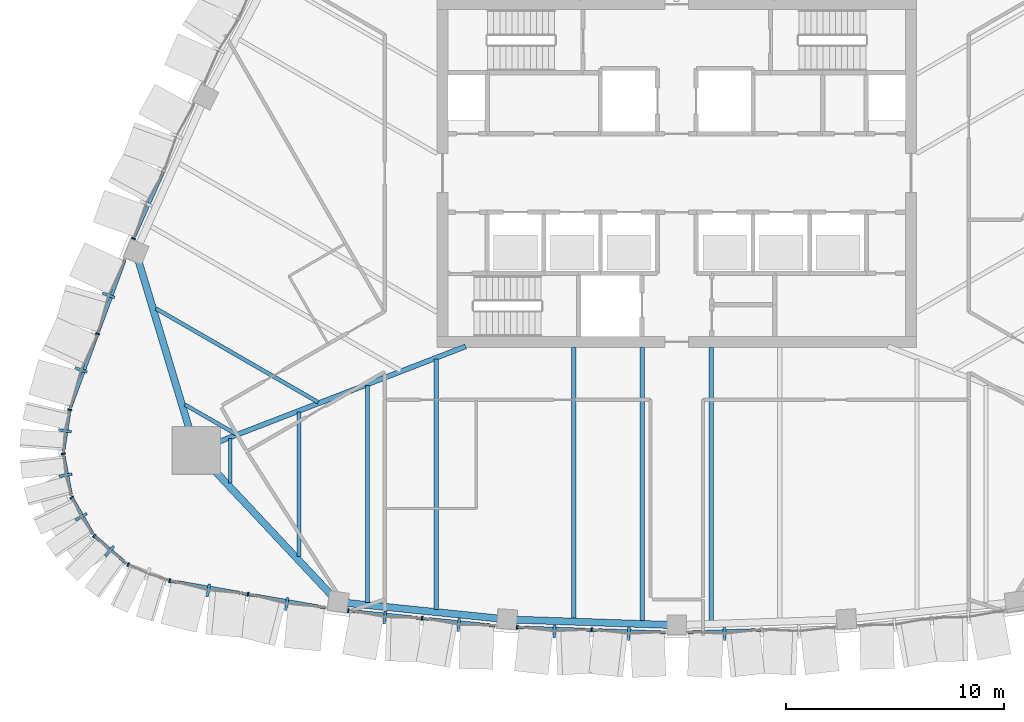
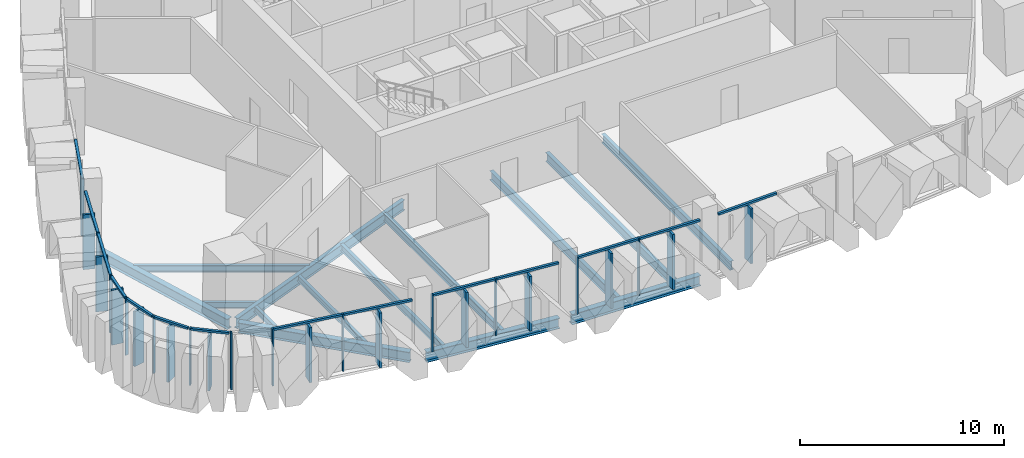
# One storey, part 2 of 20: 40 members, 14 beams, 11 elements without a shape of their own.
"""IFC4 building model written with IfcOpenShell, lengths in metres."""

from ifc_helpers import new_model, si_unit, direction, frame, origin, origin_2d, place, context, subcontext, project, spatial, rectangle, i_section, extrude, material, layer, layer_set, material_profile, profile_set, type_object, element, aggregate, save


model = new_model("IFC4")

# Units and contexts
model_context = context("Model", 3, precision=1e-05, world=origin(), true_north=direction((0.0, 1.0)))
body_context = subcontext(model_context, "Body", "Model", "MODEL_VIEW")
ifc_project = project(units=[si_unit("LENGTHUNIT", "METRE"), si_unit("AREAUNIT", "SQUARE_METRE"), si_unit("VOLUMEUNIT", "CUBIC_METRE"), si_unit("PLANEANGLEUNIT", "RADIAN"), si_unit("MASSUNIT", "GRAM", prefix="KILO")], contexts=[model_context])

# Site, building, storey
site_placement = place(None, origin())
site = spatial("IfcSite", under=ifc_project, at=site_placement, CompositionType="ELEMENT")
building_placement = place(site_placement, origin())
building = spatial("IfcBuilding", under=site, at=building_placement, Name="Sierra Prisma Convention Tower", CompositionType="ELEMENT")
storey_placement = place(building_placement, frame((0.0, 0.0, 239.0)))
storey = spatial("IfcBuildingStorey", under=building, at=storey_placement, Name="L53", CompositionType="ELEMENT", Elevation=239.0)

# Curtain wall, members
ifc_material_1 = material(Name="Aluminium and glass curtain wall", Category="aluminium")
ifc_layer = layer(ifc_material_1, 0.179931640625)
ifc_layer_set = layer_set([ifc_layer], Name="CW-2 Faceted crystal curtain wall")
curtain_wall_type = type_object("IfcCurtainWallType", Name="CW-2 Faceted crystal curtain wall", PredefinedType="NOTDEFINED", material=ifc_layer_set)
curtain_wall_1_placement = place(storey_placement, origin())
curtain_wall_1 = element("IfcCurtainWall", 1, at=curtain_wall_1_placement, inside=storey, type_object=curtain_wall_type, Name="CW-2 S1 L53", PredefinedType="NOTDEFINED")
ifc_material_2 = material(Name="Aluminium 6063-T6 bronze anodised", Category="aluminium")
ifc_material_profile_1 = material_profile(ifc_material_2, rectangle(XDim=0.1201171875, YDim=0.60009765625, at=origin_2d()), Name="ALU RIDGE BLADE 120x600")
ifc_profile_set_1 = profile_set([ifc_material_profile_1], Name="Aluminium 6063-T6 bronze anodised")
member_type_1 = type_object("IfcMemberType", Name="CW hip bronze", PredefinedType="MULLION", material=ifc_profile_set_1)
member_1_placement = place(storey_placement, frame((-21.498291015625, -19.162109375, 0.0), z_axis=(0.0, 0.0, 1.0), x_axis=(0.985483242185, -0.169772728587, 0.0)))
member_1 = element("IfcMember", 2, at=member_1_placement, type_object=member_type_1, Name="CW-2 ridge S1.1", PredefinedType="MULLION", context=body_context, shape_type="SweptSolid", body=[
    extrude(rectangle(XDim=0.1201171875, YDim=0.60009765625, at=origin_2d()), origin(), (0.0, 0.0, 1.0), 3.280029296875),
])
member_2_placement = place(storey_placement, frame((-17.900146484375, -19.781982421875, 0.0), z_axis=(0.0, 0.0, 1.0), x_axis=(0.985483242185, -0.169772728587, 0.0)))
member_2 = element("IfcMember", 3, at=member_2_placement, type_object=member_type_1, Name="CW-2 ridge S1.2", PredefinedType="MULLION", context=body_context, shape_type="SweptSolid", body=[
    extrude(rectangle(XDim=0.1201171875, YDim=0.60009765625, at=origin_2d()), origin(), (0.0, 0.0, 1.0), 3.280029296875),
])

curtain_wall_2_placement = place(storey_placement, origin())
curtain_wall_2 = element("IfcCurtainWall", 4, at=curtain_wall_2_placement, inside=storey, type_object=curtain_wall_type, Name="CW-2 S2 L53", PredefinedType="NOTDEFINED")
member_3_placement = place(storey_placement, frame((-13.39306640625, -20.393798828125, 0.0), z_axis=(0.0, 0.0, 1.0), x_axis=(0.994765846278, -0.102180776463, 0.0)))
member_3 = element("IfcMember", 5, at=member_3_placement, type_object=member_type_1, Name="CW-2 ridge S2.1", PredefinedType="MULLION", context=body_context, shape_type="SweptSolid", body=[
    extrude(rectangle(XDim=0.1201171875, YDim=0.60009765625, at=origin_2d()), origin(), (0.0, 0.0, 1.0), 3.280029296875),
])
member_4_placement = place(storey_placement, frame((-10.0068359375, -20.74169921875, 0.0), z_axis=(0.0, 0.0, 1.0), x_axis=(0.994765846278, -0.102180776463, 0.0)))
member_4 = element("IfcMember", 6, at=member_4_placement, type_object=member_type_1, Name="CW-2 ridge S2.2", PredefinedType="MULLION", context=body_context, shape_type="SweptSolid", body=[
    extrude(rectangle(XDim=0.1201171875, YDim=0.60009765625, at=origin_2d()), origin(), (0.0, 0.0, 1.0), 3.280029296875),
])

curtain_wall_3_placement = place(storey_placement, origin())
curtain_wall_3 = element("IfcCurtainWall", 7, at=curtain_wall_3_placement, inside=storey, type_object=curtain_wall_type, Name="CW-2 S3 L53", PredefinedType="NOTDEFINED")
member_5_placement = place(storey_placement, frame((-5.6162109375, -21.041748046875, 0.0), z_axis=(0.0, 0.0, 1.0), x_axis=(0.999417975782, -0.034113189286, 0.0)))
member_5 = element("IfcMember", 8, at=member_5_placement, type_object=member_type_1, Name="CW-2 ridge S3.1", PredefinedType="MULLION", context=body_context, shape_type="SweptSolid", body=[
    extrude(rectangle(XDim=0.1201171875, YDim=0.60009765625, at=origin_2d()), origin(), (0.0, 0.0, 1.0), 3.280029296875),
])
member_6_placement = place(storey_placement, frame((-2.1982421875, -21.158203125, 0.0), z_axis=(0.0, 0.0, 1.0), x_axis=(0.999417975782, -0.034113189286, 0.0)))
member_6 = element("IfcMember", 9, at=member_6_placement, type_object=member_type_1, Name="CW-2 ridge S3.2", PredefinedType="MULLION", context=body_context, shape_type="SweptSolid", body=[
    extrude(rectangle(XDim=0.1201171875, YDim=0.60009765625, at=origin_2d()), origin(), (0.0, 0.0, 1.0), 3.280029296875),
])

# Curtain wall, member
curtain_wall_4_placement = place(storey_placement, origin())
curtain_wall_4 = element("IfcCurtainWall", 10, at=curtain_wall_4_placement, inside=storey, type_object=curtain_wall_type, Name="CW-2 S4 L53", PredefinedType="NOTDEFINED")
member_7_placement = place(storey_placement, frame((2.1982421875, -21.158203125, 0.0), z_axis=(0.0, 0.0, 1.0), x_axis=(0.999417975782, 0.034113189286, 0.0)))
member_7 = element("IfcMember", 11, at=member_7_placement, type_object=member_type_1, Name="CW-2 ridge S4.1", PredefinedType="MULLION", context=body_context, shape_type="SweptSolid", body=[
    extrude(rectangle(XDim=0.1201171875, YDim=0.60009765625, at=origin_2d()), origin(), (0.0, 0.0, 1.0), 3.280029296875),
])

# Curtain wall, members
curtain_wall_5_placement = place(storey_placement, origin())
curtain_wall_5 = element("IfcCurtainWall", 12, at=curtain_wall_5_placement, inside=storey, type_object=curtain_wall_type, Name="CW-2 NW6 L53", PredefinedType="NOTDEFINED")
member_8_placement = place(storey_placement, frame((-26.08154296875, -5.61083984375, 0.0), z_axis=(0.0, 0.0, 1.0), x_axis=(-0.345714125267, -0.93833988703, 0.0)))
member_8 = element("IfcMember", 13, at=member_8_placement, type_object=member_type_1, Name="CW-2 ridge NW6.1", PredefinedType="MULLION", context=body_context, shape_type="SweptSolid", body=[
    extrude(rectangle(XDim=0.1201171875, YDim=0.60009765625, at=origin_2d()), origin(), (0.0, 0.0, 1.0), 3.280029296875),
])
member_9_placement = place(storey_placement, frame((-27.343994140625, -9.036865234375, 0.0), z_axis=(0.0, 0.0, 1.0), x_axis=(-0.345714125267, -0.93833988703, 0.0)))
member_9 = element("IfcMember", 14, at=member_9_placement, type_object=member_type_1, Name="CW-2 ridge NW6.2", PredefinedType="MULLION", context=body_context, shape_type="SweptSolid", body=[
    extrude(rectangle(XDim=0.1201171875, YDim=0.60009765625, at=origin_2d()), origin(), (0.0, 0.0, 1.0), 3.280029296875),
])

# Curtain wall, member
curtain_wall_6_placement = place(storey_placement, origin())
curtain_wall_6 = element("IfcCurtainWall", 15, at=curtain_wall_6_placement, inside=storey, type_object=curtain_wall_type, Name="CW-2 SW1 L53", PredefinedType="NOTDEFINED")
member_10_placement = place(storey_placement, frame((-28.08203125, -11.83056640625, 0.0), z_axis=(0.0, 0.0, 1.0), x_axis=(-0.149817989363, -0.988713593546, 0.0)))
member_10 = element("IfcMember", 16, at=member_10_placement, type_object=member_type_1, Name="CW-2 ridge SW1.1", PredefinedType="MULLION", context=body_context, shape_type="SweptSolid", body=[
    extrude(rectangle(XDim=0.1201171875, YDim=0.60009765625, at=origin_2d()), origin(), (0.0, 0.0, 1.0), 3.280029296875),
])

curtain_wall_7_placement = place(storey_placement, origin())
curtain_wall_7 = element("IfcCurtainWall", 17, at=curtain_wall_7_placement, inside=storey, type_object=curtain_wall_type, Name="CW-2 SW2 L53", PredefinedType="NOTDEFINED")
member_11_placement = place(storey_placement, frame((-28.045166015625, -13.869873046875, 0.0), z_axis=(0.0, 0.0, 1.0), x_axis=(0.185526165603, -0.98263932441, 0.0)))
member_11 = element("IfcMember", 18, at=member_11_placement, type_object=member_type_1, Name="CW-2 ridge SW2.1", PredefinedType="MULLION", context=body_context, shape_type="SweptSolid", body=[
    extrude(rectangle(XDim=0.1201171875, YDim=0.60009765625, at=origin_2d()), origin(), (0.0, 0.0, 1.0), 3.280029296875),
])

curtain_wall_8_placement = place(storey_placement, origin())
curtain_wall_8 = element("IfcCurtainWall", 19, at=curtain_wall_8_placement, inside=storey, type_object=curtain_wall_type, Name="CW-2 SW3 L53", PredefinedType="NOTDEFINED")
member_12_placement = place(storey_placement, frame((-27.3359375, -15.782470703125, 0.0), z_axis=(0.0, 0.0, 1.0), x_axis=(0.5, -0.866025403784, 0.0)))
member_12 = element("IfcMember", 20, at=member_12_placement, type_object=member_type_1, Name="CW-2 ridge SW3.1", PredefinedType="MULLION", context=body_context, shape_type="SweptSolid", body=[
    extrude(rectangle(XDim=0.1201171875, YDim=0.60009765625, at=origin_2d()), origin(), (0.0, 0.0, 1.0), 3.280029296875),
])

curtain_wall_9_placement = place(storey_placement, origin())
curtain_wall_9 = element("IfcCurtainWall", 21, at=curtain_wall_9_placement, inside=storey, type_object=curtain_wall_type, Name="CW-2 SW4 L53", PredefinedType="NOTDEFINED")
member_13_placement = place(storey_placement, frame((-26.0341796875, -17.352783203125, 0.0), z_axis=(0.0, 0.0, 1.0), x_axis=(0.758227534895, -0.651990034684, 0.0)))
member_13 = element("IfcMember", 22, at=member_13_placement, type_object=member_type_1, Name="CW-2 ridge SW4.1", PredefinedType="MULLION", context=body_context, shape_type="SweptSolid", body=[
    extrude(rectangle(XDim=0.1201171875, YDim=0.60009765625, at=origin_2d()), origin(), (0.0, 0.0, 1.0), 3.280029296875),
])

# Member
ifc_material_3 = material(Name="Aluminium 6063-T6 bronze anodised", Category="aluminium")
ifc_material_profile_2 = material_profile(ifc_material_3, rectangle(XDim=0.179931640625, YDim=0.070068359375, at=origin_2d()), Name="ALU MULLION 70x180")
ifc_profile_set_2 = profile_set([ifc_material_profile_2], Name="Aluminium 6063-T6 bronze anodised")
member_type_2 = type_object("IfcMemberType", Name="CW mullion bronze", PredefinedType="MULLION", material=ifc_profile_set_2)
member_14_placement = place(storey_placement, frame((-23.2734375, -18.713134765625, 0.0), z_axis=(0.0, 0.0, 1.0), x_axis=(0.169772728587, 0.985483242185, 0.0)))
member_14 = element("IfcMember", 23, at=member_14_placement, type_object=member_type_2, Name="CW-1 mullion S1.1", PredefinedType="MULLION", context=body_context, shape_type="SweptSolid", body=[
    extrude(rectangle(XDim=0.179931640625, YDim=0.070068359375, at=origin_2d()), origin(), (0.0, 0.0, 1.0), 3.39990234375),
])

member_15_placement = place(storey_placement, frame((-19.67529296875, -19.3330078125, 0.0), z_axis=(0.0, 0.0, 1.0), x_axis=(0.169772728587, 0.985483242185, 0.0)))
member_15 = element("IfcMember", 24, at=member_15_placement, type_object=member_type_2, Name="CW-1 mullion S1.2", PredefinedType="MULLION", context=body_context, shape_type="SweptSolid", body=[
    extrude(rectangle(XDim=0.179931640625, YDim=0.070068359375, at=origin_2d()), origin(), (0.0, 0.0, 1.0), 3.39990234375),
])

member_16_placement = place(storey_placement, frame((-15.07275390625, -20.08935546875, 0.0), z_axis=(0.0, 0.0, 1.0), x_axis=(0.102180776463, 0.994765846278, 0.0)))
member_16 = element("IfcMember", 25, at=member_16_placement, type_object=member_type_2, Name="CW-1 mullion S2.1", PredefinedType="MULLION", context=body_context, shape_type="SweptSolid", body=[
    extrude(rectangle(XDim=0.179931640625, YDim=0.070068359375, at=origin_2d()), origin(), (0.0, 0.0, 1.0), 3.39990234375),
])

member_17_placement = place(storey_placement, frame((-11.6865234375, -20.437255859375, 0.0), z_axis=(0.0, 0.0, 1.0), x_axis=(0.102180776463, 0.994765846278, 0.0)))
member_17 = element("IfcMember", 26, at=member_17_placement, type_object=member_type_2, Name="CW-1 mullion S2.2", PredefinedType="MULLION", context=body_context, shape_type="SweptSolid", body=[
    extrude(rectangle(XDim=0.179931640625, YDim=0.070068359375, at=origin_2d()), origin(), (0.0, 0.0, 1.0), 3.39990234375),
])

member_18_placement = place(storey_placement, frame((-7.32080078125, -20.8515625, 0.0), z_axis=(0.0, 0.0, 1.0), x_axis=(0.034113189286, 0.999417975782, 0.0)))
member_18 = element("IfcMember", 27, at=member_18_placement, type_object=member_type_2, Name="CW-1 mullion S3.1", PredefinedType="MULLION", context=body_context, shape_type="SweptSolid", body=[
    extrude(rectangle(XDim=0.179931640625, YDim=0.070068359375, at=origin_2d()), origin(), (0.0, 0.0, 1.0), 3.39990234375),
])

member_19_placement = place(storey_placement, frame((-3.90283203125, -20.96826171875, 0.0), z_axis=(0.0, 0.0, 1.0), x_axis=(0.034113189286, 0.999417975782, 0.0)))
member_19 = element("IfcMember", 28, at=member_19_placement, type_object=member_type_2, Name="CW-1 mullion S3.2", PredefinedType="MULLION", context=body_context, shape_type="SweptSolid", body=[
    extrude(rectangle(XDim=0.179931640625, YDim=0.070068359375, at=origin_2d()), origin(), (0.0, 0.0, 1.0), 3.39990234375),
])

# Curtain wall, member
curtain_wall_10_placement = place(storey_placement, origin())
curtain_wall_10 = element("IfcCurtainWall", 29, at=curtain_wall_10_placement, inside=storey, type_object=curtain_wall_type, Name="CW-2 NW5 L53", PredefinedType="NOTDEFINED")
member_20_placement = place(storey_placement, frame((-24.934326171875, -3.0087890625, 0.0), z_axis=(0.0, 0.0, 1.0), x_axis=(0.912582881925, -0.408891774944, 0.0)))
member_20 = element("IfcMember", 30, at=member_20_placement, type_object=member_type_2, Name="CW-1 mullion NW5.3", PredefinedType="MULLION", context=body_context, shape_type="SweptSolid", body=[
    extrude(rectangle(XDim=0.179931640625, YDim=0.070068359375, at=origin_2d()), origin(), (0.0, 0.0, 1.0), 3.39990234375),
])

# Member
member_21_placement = place(storey_placement, frame((-26.58056640625, -7.37255859375, 0.0), z_axis=(0.0, 0.0, 1.0), x_axis=(0.93833988703, -0.345714125267, 0.0)))
member_21 = element("IfcMember", 31, at=member_21_placement, type_object=member_type_2, Name="CW-1 mullion NW6.2", PredefinedType="MULLION", context=body_context, shape_type="SweptSolid", body=[
    extrude(rectangle(XDim=0.179931640625, YDim=0.070068359375, at=origin_2d()), origin(), (0.0, 0.0, 1.0), 3.39990234375),
])

member_22_placement = place(storey_placement, frame((-27.860107421875, -10.8662109375, 0.0), z_axis=(0.0, 0.0, 1.0), x_axis=(0.988713593546, -0.149817989363, 0.0)))
member_22 = element("IfcMember", 32, at=member_22_placement, type_object=member_type_2, Name="CW-1 mullion SW1.1", PredefinedType="MULLION", context=body_context, shape_type="SweptSolid", body=[
    extrude(rectangle(XDim=0.179931640625, YDim=0.070068359375, at=origin_2d()), origin(), (0.0, 0.0, 1.0), 3.39990234375),
])

member_23_placement = place(storey_placement, frame((-28.154541015625, -12.886474609375, 0.0), z_axis=(0.0, 0.0, 1.0), x_axis=(0.98263932441, 0.185526165603, 0.0)))
member_23 = element("IfcMember", 33, at=member_23_placement, type_object=member_type_2, Name="CW-1 mullion SW2.1", PredefinedType="MULLION", context=body_context, shape_type="SweptSolid", body=[
    extrude(rectangle(XDim=0.179931640625, YDim=0.070068359375, at=origin_2d()), origin(), (0.0, 0.0, 1.0), 3.39990234375),
])

member_24_placement = place(storey_placement, frame((-27.764404296875, -14.890380859375, 0.0), z_axis=(0.0, 0.0, 1.0), x_axis=(0.866025403784, 0.5, 0.0)))
member_24 = element("IfcMember", 34, at=member_24_placement, type_object=member_type_2, Name="CW-1 mullion SW3.1", PredefinedType="MULLION", context=body_context, shape_type="SweptSolid", body=[
    extrude(rectangle(XDim=0.179931640625, YDim=0.070068359375, at=origin_2d()), origin(), (0.0, 0.0, 1.0), 3.39990234375),
])

member_25_placement = place(storey_placement, frame((-26.733642578125, -16.652587890625, 0.0), z_axis=(0.0, 0.0, 1.0), x_axis=(0.651990034684, 0.758227534895, 0.0)))
member_25 = element("IfcMember", 35, at=member_25_placement, type_object=member_type_2, Name="CW-1 mullion SW4.1", PredefinedType="MULLION", context=body_context, shape_type="SweptSolid", body=[
    extrude(rectangle(XDim=0.179931640625, YDim=0.070068359375, at=origin_2d()), origin(), (0.0, 0.0, 1.0), 3.39990234375),
])

# Curtain wall, member
curtain_wall_11_placement = place(storey_placement, origin())
curtain_wall_11 = element("IfcCurtainWall", 36, at=curtain_wall_11_placement, inside=storey, type_object=curtain_wall_type, Name="CW-2 SW5 L53", PredefinedType="NOTDEFINED")
member_26_placement = place(storey_placement, frame((-25.177978515625, -17.974853515625, 0.0), z_axis=(0.0, 0.0, 1.0), x_axis=(0.364610612041, 0.93116008376, 0.0)))
member_26 = element("IfcMember", 37, at=member_26_placement, type_object=member_type_2, Name="CW-1 mullion SW5.1", PredefinedType="MULLION", context=body_context, shape_type="SweptSolid", body=[
    extrude(rectangle(XDim=0.179931640625, YDim=0.070068359375, at=origin_2d()), origin(), (0.0, 0.0, 1.0), 3.39990234375),
])
aggregate(curtain_wall_11, [member_26])

# Member
ifc_material_4 = material(Name="Aluminium 6063-T6 bronze anodised", Category="aluminium")
ifc_material_profile_3 = material_profile(ifc_material_4, rectangle(XDim=0.139892578125, YDim=0.1201171875, at=origin_2d()), Name="ALU TRANSOM 120x140")
ifc_profile_set_3 = profile_set([ifc_material_profile_3], Name="Aluminium 6063-T6 bronze anodised")
member_type_3 = type_object("IfcMemberType", Name="CW transom bronze", PredefinedType="USERDEFINED", material=ifc_profile_set_3)
member_27_placement = place(storey_placement, frame((-23.23876953125, -18.71923828125, 3.340087890625), z_axis=(0.985485690294, -0.169758517387, 0.0), x_axis=(0.169758517387, 0.985485690294, 0.0)))
member_27 = element("IfcMember", 38, at=member_27_placement, type_object=member_type_3, Name="CW-1 transom S1.1", ObjectType="TRANSOM", PredefinedType="USERDEFINED", context=body_context, shape_type="SweptSolid", body=[
    extrude(rectangle(XDim=0.139892578125, YDim=0.1201171875, at=origin_2d()), origin(), (0.0, 0.0, 1.0), 3.5810546875),
])

member_28_placement = place(storey_placement, frame((-19.640625, -19.339111328125, 3.340087890625), z_axis=(0.985485690294, -0.169758517387, 0.0), x_axis=(0.169758517387, 0.985485690294, 0.0)))
member_28 = element("IfcMember", 39, at=member_28_placement, type_object=member_type_3, Name="CW-1 transom S1.2", ObjectType="TRANSOM", PredefinedType="USERDEFINED", context=body_context, shape_type="SweptSolid", body=[
    extrude(rectangle(XDim=0.139892578125, YDim=0.1201171875, at=origin_2d()), origin(), (0.0, 0.0, 1.0), 3.5810546875),
])

aggregate(curtain_wall_1, [member_14, member_15, member_27, member_1, member_28, member_2])

member_29_placement = place(storey_placement, frame((-15.037841796875, -20.093017578125, 3.340087890625), z_axis=(0.994769044395, -0.102149636874, 0.0), x_axis=(0.102149636874, 0.994769044395, 0.0)))
member_29 = element("IfcMember", 40, at=member_29_placement, type_object=member_type_3, Name="CW-1 transom S2.1", ObjectType="TRANSOM", PredefinedType="USERDEFINED", context=body_context, shape_type="SweptSolid", body=[
    extrude(rectangle(XDim=0.139892578125, YDim=0.1201171875, at=origin_2d()), origin(), (0.0, 0.0, 1.0), 3.333984375),
])

member_30_placement = place(storey_placement, frame((-11.651611328125, -20.440673828125, 3.340087890625), z_axis=(0.994761600976, -0.102222097531, 0.0), x_axis=(0.102222097531, 0.994761600976, 0.0)))
member_30 = element("IfcMember", 41, at=member_30_placement, type_object=member_type_3, Name="CW-1 transom S2.2", ObjectType="TRANSOM", PredefinedType="USERDEFINED", context=body_context, shape_type="SweptSolid", body=[
    extrude(rectangle(XDim=0.139892578125, YDim=0.1201171875, at=origin_2d()), origin(), (0.0, 0.0, 1.0), 3.334228515625),
])

aggregate(curtain_wall_2, [member_16, member_17, member_29, member_3, member_30, member_4])

member_31_placement = place(storey_placement, frame((-7.28564453125, -20.852783203125, 3.340087890625), z_axis=(0.999418141233, -0.034108341727, 0.0), x_axis=(0.034108341727, 0.999418141233, 0.0)))
member_31 = element("IfcMember", 42, at=member_31_placement, type_object=member_type_3, Name="CW-1 transom S3.1", ObjectType="TRANSOM", PredefinedType="USERDEFINED", context=body_context, shape_type="SweptSolid", body=[
    extrude(rectangle(XDim=0.139892578125, YDim=0.1201171875, at=origin_2d()), origin(), (0.0, 0.0, 1.0), 3.349853515625),
])

member_32_placement = place(storey_placement, frame((-3.86767578125, -20.969482421875, 3.340087890625), z_axis=(0.999418141233, -0.034108341727, 0.0), x_axis=(0.034108341727, 0.999418141233, 0.0)))
member_32 = element("IfcMember", 43, at=member_32_placement, type_object=member_type_3, Name="CW-1 transom S3.2", ObjectType="TRANSOM", PredefinedType="USERDEFINED", context=body_context, shape_type="SweptSolid", body=[
    extrude(rectangle(XDim=0.139892578125, YDim=0.1201171875, at=origin_2d()), origin(), (0.0, 0.0, 1.0), 3.349853515625),
])

aggregate(curtain_wall_3, [member_18, member_19, member_31, member_5, member_32, member_6])

member_33_placement = place(storey_placement, frame((0.519775390625, -21.083740234375, 3.340087890625), z_axis=(0.999418141233, 0.034108341727, 0.0), x_axis=(-0.034108341727, 0.999418141233, 0.0)))
member_33 = element("IfcMember", 44, at=member_33_placement, type_object=member_type_3, Name="CW-1 transom S4.1", ObjectType="TRANSOM", PredefinedType="USERDEFINED", context=body_context, shape_type="SweptSolid", body=[
    extrude(rectangle(XDim=0.139892578125, YDim=0.1201171875, at=origin_2d()), origin(), (0.0, 0.0, 1.0), 3.349853515625),
])

aggregate(curtain_wall_4, [member_33, member_7])

member_34_placement = place(storey_placement, frame((-23.556640625, 0.06591796875, 3.340087890625), z_axis=(-0.408881392104, -0.912587533988, 0.0), x_axis=(0.912587533988, -0.408881392104, 0.0)))
member_34 = element("IfcMember", 45, at=member_34_placement, type_object=member_type_3, Name="CW-1 transom NW5.2", ObjectType="TRANSOM", PredefinedType="USERDEFINED", context=body_context, shape_type="SweptSolid", body=[
    extrude(rectangle(XDim=0.139892578125, YDim=0.1201171875, at=origin_2d()), origin(), (0.0, 0.0, 1.0), 3.334228515625),
])

aggregate(curtain_wall_10, [member_20, member_34])

member_35_placement = place(storey_placement, frame((-25.330322265625, -3.9794921875, 3.340087890625), z_axis=(-0.345708518092, -0.938341952872, 0.0), x_axis=(0.938341952872, -0.345708518092, 0.0)))
member_35 = element("IfcMember", 46, at=member_35_placement, type_object=member_type_3, Name="CW-1 transom NW6.1", ObjectType="TRANSOM", PredefinedType="USERDEFINED", context=body_context, shape_type="SweptSolid", body=[
    extrude(rectangle(XDim=0.139892578125, YDim=0.1201171875, at=origin_2d()), origin(), (0.0, 0.0, 1.0), 3.5810546875),
])

member_36_placement = place(storey_placement, frame((-26.592529296875, -7.405517578125, 3.340087890625), z_axis=(-0.345768541877, -0.938319836435, 0.0), x_axis=(0.938319836435, -0.345768541877, 0.0)))
member_36 = element("IfcMember", 47, at=member_36_placement, type_object=member_type_3, Name="CW-1 transom NW6.2", ObjectType="TRANSOM", PredefinedType="USERDEFINED", context=body_context, shape_type="SweptSolid", body=[
    extrude(rectangle(XDim=0.139892578125, YDim=0.1201171875, at=origin_2d()), origin(), (0.0, 0.0, 1.0), 3.581298828125),
])

aggregate(curtain_wall_5, [member_21, member_35, member_8, member_36, member_9])

member_37_placement = place(storey_placement, frame((-27.865478515625, -10.900634765625, 3.340087890625), z_axis=(-0.149801580138, -0.988716079867, 0.0), x_axis=(0.988716079867, -0.149801580138, 0.0)))
member_37 = element("IfcMember", 48, at=member_37_placement, type_object=member_type_3, Name="CW-1 transom SW1.1", ObjectType="TRANSOM", PredefinedType="USERDEFINED", context=body_context, shape_type="SweptSolid", body=[
    extrude(rectangle(XDim=0.139892578125, YDim=0.1201171875, at=origin_2d()), origin(), (0.0, 0.0, 1.0), 1.903564453125),
])

aggregate(curtain_wall_6, [member_22, member_37, member_10])

member_38_placement = place(storey_placement, frame((-28.14794921875, -12.9208984375, 3.340087890625), z_axis=(0.185473292757, -0.982649305538, 0.0), x_axis=(0.982649305538, 0.185473292757, 0.0)))
member_38 = element("IfcMember", 49, at=member_38_placement, type_object=member_type_3, Name="CW-1 transom SW2.1", ObjectType="TRANSOM", PredefinedType="USERDEFINED", context=body_context, shape_type="SweptSolid", body=[
    extrude(rectangle(XDim=0.139892578125, YDim=0.1201171875, at=origin_2d()), origin(), (0.0, 0.0, 1.0), 1.9033203125),
])

aggregate(curtain_wall_7, [member_23, member_38, member_11])

member_39_placement = place(storey_placement, frame((-27.746826171875, -14.920654296875, 3.340087890625), z_axis=(0.49997412077, -0.866040344649, 0.0), x_axis=(0.866040344649, 0.49997412077, 0.0)))
member_39 = element("IfcMember", 50, at=member_39_placement, type_object=member_type_3, Name="CW-1 transom SW3.1", ObjectType="TRANSOM", PredefinedType="USERDEFINED", context=body_context, shape_type="SweptSolid", body=[
    extrude(rectangle(XDim=0.139892578125, YDim=0.1201171875, at=origin_2d()), origin(), (0.0, 0.0, 1.0), 1.9033203125),
])

aggregate(curtain_wall_8, [member_24, member_39, member_12])

member_40_placement = place(storey_placement, frame((-26.70703125, -16.675537109375, 3.340087890625), z_axis=(0.758268887432, -0.651941940937, 0.0), x_axis=(0.651941940937, 0.758268887432, 0.0)))
member_40 = element("IfcMember", 51, at=member_40_placement, type_object=member_type_3, Name="CW-1 transom SW4.1", ObjectType="TRANSOM", PredefinedType="USERDEFINED", context=body_context, shape_type="SweptSolid", body=[
    extrude(rectangle(XDim=0.139892578125, YDim=0.1201171875, at=origin_2d()), origin(), (0.0, 0.0, 1.0), 1.903564453125),
])

aggregate(curtain_wall_9, [member_25, member_40, member_13])

# Beams
ifc_material_5 = material(Name="Steel ASTM A992 Gr 50", Category="steel")
ifc_material_profile_4 = material_profile(ifc_material_5, i_section(OverallWidth=0.172119140625, OverallDepth=0.35791015625, WebThickness=0.0078125, FlangeThickness=0.01318359375, at=origin_2d()), Name="W360x57")
ifc_profile_set_4 = profile_set([ifc_material_profile_4], Name="Steel ASTM A992 Gr 50")
beam_type_1 = type_object("IfcBeamType", Name="Floor joist W360x57", PredefinedType="JOIST", material=ifc_profile_set_4)
beam_1_placement = place(storey_placement, frame((-20.492919921875, -14.234375, -0.3291015625), z_axis=(0.0, 1.0, 0.0), x_axis=(-1.0, 0.0, 0.0)))
element("IfcBeam", 52, at=beam_1_placement, inside=storey, type_object=beam_type_1, Name="Floor joist L53 S01", PredefinedType="JOIST", context=body_context, shape_type="SweptSolid", body=[
    extrude(i_section(OverallWidth=0.172119140625, OverallDepth=0.35791015625, WebThickness=0.0078125, FlangeThickness=0.01318359375, at=origin_2d()), origin(), (0.0, 0.0, 1.0), 2.052734375),
])
beam_2_placement = place(storey_placement, frame((-17.340087890625, -17.5947265625, -0.3291015625), z_axis=(0.0, 1.0, 0.0), x_axis=(-1.0, 0.0, 0.0)))
element("IfcBeam", 53, at=beam_2_placement, inside=storey, type_object=beam_type_1, Name="Floor joist L53 S02", PredefinedType="JOIST", context=body_context, shape_type="SweptSolid", body=[
    extrude(i_section(OverallWidth=0.172119140625, OverallDepth=0.35791015625, WebThickness=0.0078125, FlangeThickness=0.01318359375, at=origin_2d()), origin(), (0.0, 0.0, 1.0), 6.63134765625),
])
beam_3_placement = place(storey_placement, frame((-22.57373046875, -10.630126953125, -0.3291015625), z_axis=(0.866045775131, -0.499964714133, 0.0), x_axis=(0.499964714133, 0.866045775131, 0.0)))
element("IfcBeam", 54, at=beam_3_placement, inside=storey, type_object=beam_type_1, Name="Floor joist L53 NW14", PredefinedType="JOIST", context=body_context, shape_type="SweptSolid", body=[
    extrude(i_section(OverallWidth=0.172119140625, OverallDepth=0.35791015625, WebThickness=0.0078125, FlangeThickness=0.01318359375, at=origin_2d()), origin(), (0.0, 0.0, 1.0), 2.704345703125),
])
ifc_material_6 = material(Name="Steel ASTM A992 Gr 50", Category="steel")
ifc_material_profile_5 = material_profile(ifc_material_6, i_section(OverallWidth=0.177978515625, OverallDepth=0.406982421875, WebThickness=0.0078125, FlangeThickness=0.0126953125, at=origin_2d()), Name="W410x60")
ifc_profile_set_5 = profile_set([ifc_material_profile_5], Name="Steel ASTM A992 Gr 50")
beam_type_2 = type_object("IfcBeamType", Name="Floor joist W410x60", PredefinedType="JOIST", material=ifc_profile_set_5)
beam_4_placement = place(storey_placement, frame((-14.187255859375, -19.71533203125, -0.353515625), z_axis=(0.0, 1.0, 0.0), x_axis=(-1.0, 0.0, 0.0)))
element("IfcBeam", 55, at=beam_4_placement, inside=storey, type_object=beam_type_2, Name="Floor joist L53 S03", PredefinedType="JOIST", context=body_context, shape_type="SweptSolid", body=[
    extrude(i_section(OverallWidth=0.177978515625, OverallDepth=0.406982421875, WebThickness=0.0078125, FlangeThickness=0.0126953125, at=origin_2d()), origin(), (0.0, 0.0, 1.0), 9.970458984375),
])
beam_5_placement = place(storey_placement, frame((-23.907470703125, -6.2197265625, -0.353515625), z_axis=(0.866034883057, -0.499983581059, 0.0), x_axis=(0.499983581059, 0.866034883057, 0.0)))
element("IfcBeam", 56, at=beam_5_placement, inside=storey, type_object=beam_type_2, Name="Floor joist L53 NW13", PredefinedType="JOIST", context=body_context, shape_type="SweptSolid", body=[
    extrude(i_section(OverallWidth=0.177978515625, OverallDepth=0.406982421875, WebThickness=0.0078125, FlangeThickness=0.0126953125, at=origin_2d()), origin(), (0.0, 0.0, 1.0), 8.605712890625),
])
ifc_material_7 = material(Name="Steel ASTM A992 Gr 50", Category="steel")
ifc_material_profile_6 = material_profile(ifc_material_7, i_section(OverallWidth=0.18994140625, OverallDepth=0.45703125, WebThickness=0.009033203125, FlangeThickness=0.014404296875, at=origin_2d()), Name="W460x74")
ifc_profile_set_6 = profile_set([ifc_material_profile_6], Name="Steel ASTM A992 Gr 50")
beam_type_3 = type_object("IfcBeamType", Name="Floor joist W460x74", PredefinedType="JOIST", material=ifc_profile_set_6)
beam_6_placement = place(storey_placement, frame((-11.03466796875, -20.039306640625, -0.37841796875), z_axis=(0.0, 1.0, 0.0), x_axis=(-1.0, 0.0, 0.0)))
element("IfcBeam", 57, at=beam_6_placement, inside=storey, type_object=beam_type_3, Name="Floor joist L53 S04", PredefinedType="JOIST", context=body_context, shape_type="SweptSolid", body=[
    extrude(i_section(OverallWidth=0.18994140625, OverallDepth=0.45703125, WebThickness=0.009033203125, FlangeThickness=0.014404296875, at=origin_2d()), origin(), (0.0, 0.0, 1.0), 11.512939453125),
])
ifc_material_8 = material(Name="Steel ASTM A992 Gr 50", Category="steel")
ifc_material_profile_7 = material_profile(ifc_material_8, i_section(OverallWidth=0.208984375, OverallDepth=0.532958984375, WebThickness=0.01025390625, FlangeThickness=0.015625, at=origin_2d()), Name="W530x92")
ifc_profile_set_7 = profile_set([ifc_material_profile_7], Name="Steel ASTM A992 Gr 50")
beam_type_4 = type_object("IfcBeamType", Name="Floor joist W530x92", PredefinedType="JOIST", material=ifc_profile_set_7)
beam_7_placement = place(storey_placement, frame((-4.72900390625, -20.477294921875, -0.41650390625), z_axis=(0.0, 1.0, 0.0), x_axis=(-1.0, 0.0, 0.0)))
element("IfcBeam", 58, at=beam_7_placement, inside=storey, type_object=beam_type_4, Name="Floor joist L53 S06", PredefinedType="JOIST", context=body_context, shape_type="SweptSolid", body=[
    extrude(i_section(OverallWidth=0.208984375, OverallDepth=0.532958984375, WebThickness=0.01025390625, FlangeThickness=0.015625, at=origin_2d()), origin(), (0.0, 0.0, 1.0), 12.477294921875),
])
for number, where, z_axis, x_axis, name in (
    (59, (-1.576416015625, -20.5849609375, -0.41650390625), (0.0, 1.0, 0.0), (-1.0, 0.0, 0.0), "Floor joist L53 S07"),
    (60, (1.576416015625, -20.5849609375, -0.41650390625), (0.0, 1.0, 0.0), (-1.0, 0.0, 0.0), "Floor joist L53 S08"),
):
    element("IfcBeam", number, at=place(storey_placement, frame(where, z_axis=z_axis, x_axis=x_axis)), inside=storey, type_object=beam_type_4, Name=name, PredefinedType="JOIST", context=body_context, shape_type="SweptSolid", body=[
        extrude(i_section(OverallWidth=0.208984375, OverallDepth=0.532958984375, WebThickness=0.01025390625, FlangeThickness=0.015625, at=origin_2d()), origin(), (0.0, 0.0, 1.0), 12.5849609375),
    ])
ifc_material_9 = material(Name="Steel ASTM A992 Gr 50", Category="steel")
ifc_material_profile_8 = material_profile(ifc_material_9, i_section(OverallWidth=0.22998046875, OverallDepth=0.616943359375, WebThickness=0.01318359375, FlangeThickness=0.022216796875, at=origin_2d()), Name="W610x140")
ifc_profile_set_8 = profile_set([ifc_material_profile_8], Name="Steel ASTM A992 Gr 50")
beam_type_5 = type_object("IfcBeamType", Name="Radial girder W610x140", PredefinedType="BEAM", material=ifc_profile_set_8)
beam_8_placement = place(storey_placement, frame((-21.84912109375, -12.65673828125, -0.45849609375), z_axis=(0.932763792737, 0.360488150927, 0.0), x_axis=(-0.360488150927, 0.932763792737, 0.0)))
element("IfcBeam", 61, at=beam_8_placement, inside=storey, type_object=beam_type_5, Name="Radial girder L53 SW", PredefinedType="BEAM", context=body_context, shape_type="SweptSolid", body=[
    extrude(i_section(OverallWidth=0.22998046875, OverallDepth=0.616943359375, WebThickness=0.01318359375, FlangeThickness=0.022216796875, at=origin_2d()), origin(), (0.0, 0.0, 1.0), 13.037841796875),
])
ifc_material_10 = material(Name="Steel ASTM A992 Gr 50", Category="steel")
ifc_material_profile_9 = material_profile(ifc_material_10, i_section(OverallWidth=0.324951171875, OverallDepth=0.615966796875, WebThickness=0.013916015625, FlangeThickness=0.021484375, at=origin_2d()), Name="W610x174")
ifc_profile_set_9 = profile_set([ifc_material_profile_9], Name="Steel ASTM A992 Gr 50")
beam_type_6 = type_object("IfcBeamType", Name="Spandrel beam W610x174", PredefinedType="BEAM", material=ifc_profile_set_9)
beam_9_placement = place(storey_placement, frame((-21.86279296875, -12.961669921875, -0.4580078125), z_axis=(0.684213486017, -0.72928177377, 0.0), x_axis=(0.72928177377, 0.684213486017, 0.0)))
element("IfcBeam", 62, at=beam_9_placement, inside=storey, type_object=beam_type_6, Name="Spandrel L53-01", PredefinedType="BEAM", context=body_context, shape_type="SweptSolid", body=[
    extrude(i_section(OverallWidth=0.324951171875, OverallDepth=0.615966796875, WebThickness=0.013916015625, FlangeThickness=0.021484375, at=origin_2d()), origin(), (0.0, 0.0, 1.0), 8.764892578125),
])
for number, where, z_axis, x_axis, name in (
    (63, (-15.222900390625, -19.722412109375, -0.4580078125), (0.994767454235, -0.102165121228, 0.0), (0.102165121228, 0.994767454235, 0.0), "Spandrel L53-02"),
    (64, (-7.4638671875, -20.49658203125, -0.4580078125), (0.999417238437, -0.03413478453, 0.0), (0.03413478453, 0.999417238437, 0.0), "Spandrel L53-03"),
):
    element("IfcBeam", number, at=place(storey_placement, frame(where, z_axis=z_axis, x_axis=x_axis)), inside=storey, type_object=beam_type_6, Name=name, PredefinedType="BEAM", context=body_context, shape_type="SweptSolid", body=[
        extrude(i_section(OverallWidth=0.324951171875, OverallDepth=0.615966796875, WebThickness=0.013916015625, FlangeThickness=0.021484375, at=origin_2d()), origin(), (0.0, 0.0, 1.0), 7.137939453125),
    ])
beam_10_placement = place(storey_placement, frame((-24.693603515625, -4.063232421875, -0.4580078125), z_axis=(0.28945602351, -0.957191313403, 0.0), x_axis=(0.957191313403, 0.28945602351, 0.0)))
element("IfcBeam", 65, at=beam_10_placement, inside=storey, type_object=beam_type_6, Name="Spandrel L53-18", PredefinedType="BEAM", context=body_context, shape_type="SweptSolid", body=[
    extrude(i_section(OverallWidth=0.324951171875, OverallDepth=0.615966796875, WebThickness=0.013916015625, FlangeThickness=0.021484375, at=origin_2d()), origin(), (0.0, 0.0, 1.0), 8.836669921875),
])

save(model, "model.ifc")
